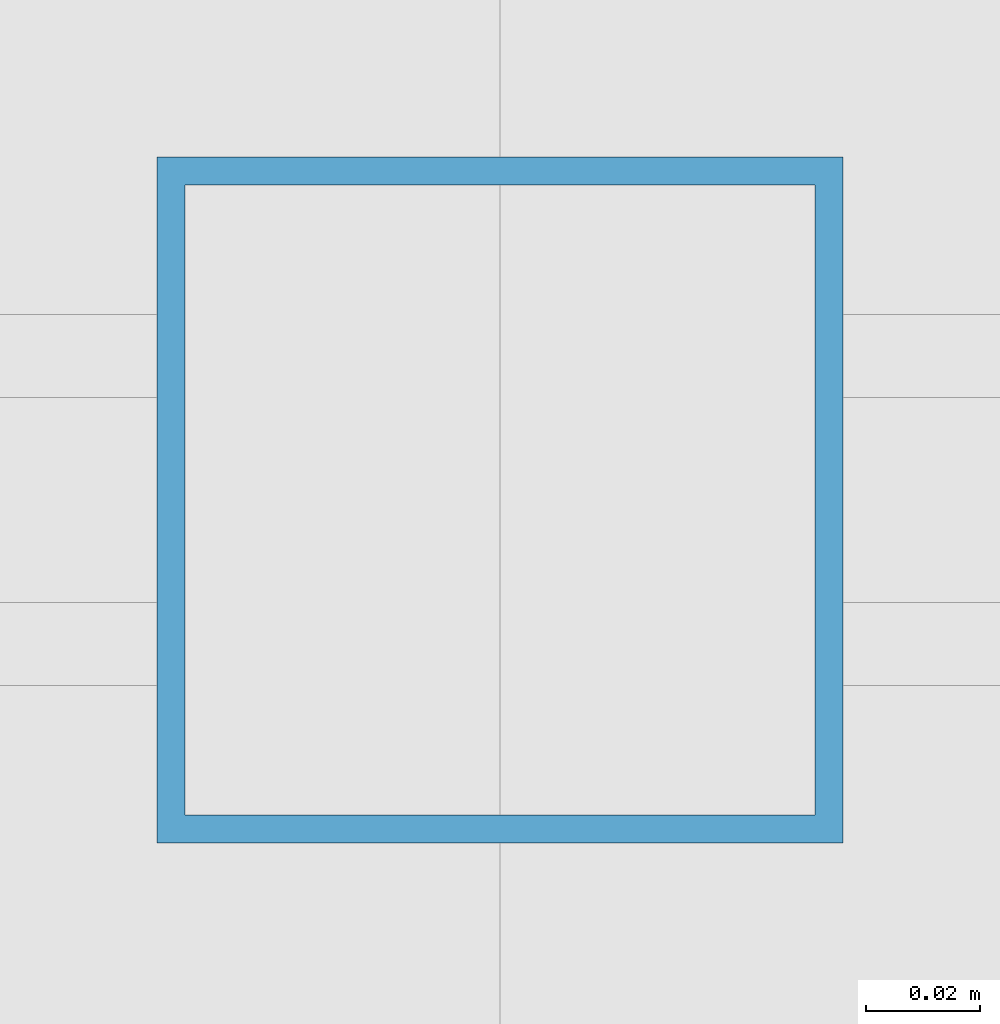
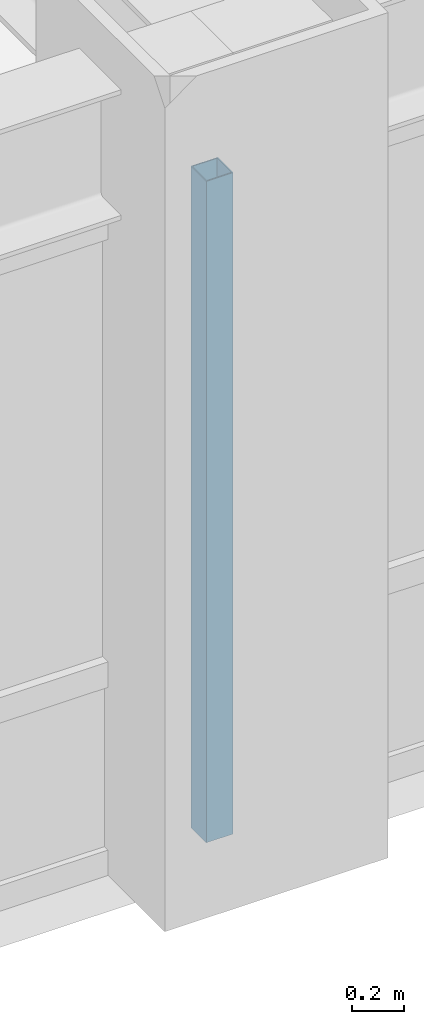
# One storey, part 4 of 25: 1 member, 1 element without a shape of its own.
"""IFC4 building model written with IfcOpenShell, lengths in metres."""

from ifc_helpers import new_model, si_unit, direction, frame, origin, origin_2d, place, context, subcontext, project, spatial, hollow_rectangle, extrude, source, transform, mapped, material, material_profile, profile_set, type_object, element, aggregate, save


model = new_model("IFC4")

# Units and contexts
model_context = context("Model", 3, precision=1e-05, world=origin(), true_north=direction((0.0, 1.0)))
body_context = subcontext(model_context, "Body", "Model", "MODEL_VIEW")
ifc_project = project(units=[si_unit("LENGTHUNIT", "METRE"), si_unit("AREAUNIT", "SQUARE_METRE"), si_unit("VOLUMEUNIT", "CUBIC_METRE"), si_unit("PLANEANGLEUNIT", "RADIAN"), si_unit("MASSUNIT", "GRAM", prefix="KILO")], contexts=[model_context])

# Site, building, storey
site_placement = place(None, origin())
site = spatial("IfcSite", under=ifc_project, at=site_placement, CompositionType="ELEMENT")
building_placement = place(site_placement, origin())
building = spatial("IfcBuilding", under=site, at=building_placement, Name="Khorayat Bourse Tower", CompositionType="ELEMENT")
storey_placement = place(building_placement, frame((0.0, 0.0, 227.10009765625)))
storey = spatial("IfcBuildingStorey", under=building, at=storey_placement, Name="L53", CompositionType="ELEMENT", Elevation=227.10009765625)

# Curtain wall, member
ifc_material = material(Name="Aluminium EN AW-6063 T6", Category="aluminium")
curtain_wall_type = type_object("IfcCurtainWallType", Name="CW-SYS-03", PredefinedType="NOTDEFINED", material=ifc_material)
curtain_wall_placement = place(storey_placement, origin())
curtain_wall = element("IfcCurtainWall", 1, at=curtain_wall_placement, inside=storey, type_object=curtain_wall_type, Name="L53 Curtain Wall CW-L53-S1", PredefinedType="NOTDEFINED")
ifc_material_profile = material_profile(ifc_material, hollow_rectangle(XDim=0.1201171875, YDim=0.1201171875, WallThickness=0.0048828125, at=origin_2d()), Name="ALU 120x120x5")
ifc_profile_set = profile_set([ifc_material_profile], Name="Aluminium EN AW-6063 T6")
member_type = type_object("IfcMemberType", Name="CWM-VERT-120", PredefinedType="MULLION", material=ifc_profile_set)
shared_shape = source(origin(), body_context, "Body", "SweptSolid", [
    extrude(hollow_rectangle(XDim=0.1201171875, YDim=0.1201171875, WallThickness=0.0048828125, at=origin_2d()), origin(), (0.0, 0.0, 1.0), 3.1298828125),
])
member_placement = place(storey_placement, frame((0.0, -30.0, 0.0), z_axis=(0.0, 0.0, 1.0), x_axis=(0.0, 1.0, 0.0)))
member = element("IfcMember", 2, at=member_placement, type_object=member_type, Name="CW-L53-S1 Vertical Mullion 2", PredefinedType="MULLION", context=body_context, shape_type="MappedRepresentation", body=[
    mapped(shared_shape, transform((0.0, 0.0, 0.0), scale=1.0)),
])
aggregate(curtain_wall, [member])

save(model, "model.ifc")
